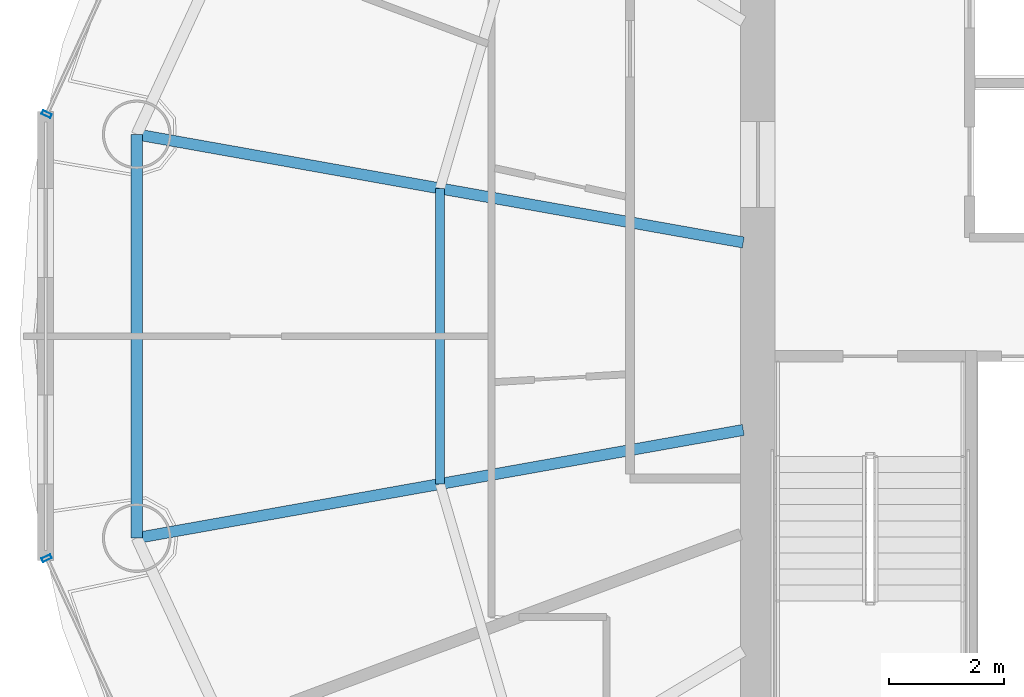
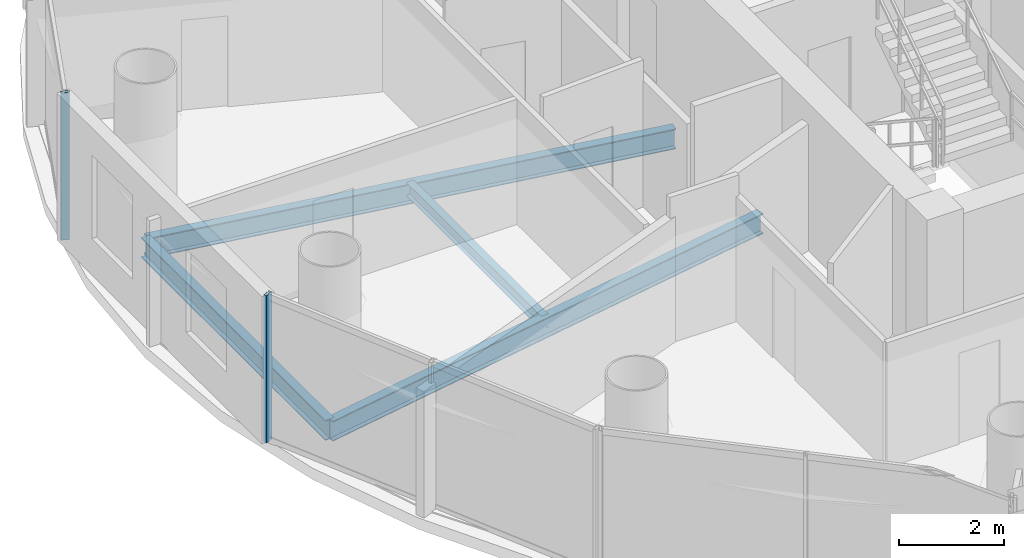
# One storey, part 7 of 26: 4 beams, 2 members, 2 elements without a shape of their own.
"""IFC4 building model written with IfcOpenShell, lengths in metres."""

from ifc_helpers import new_model, si_unit, direction, frame, origin, origin_2d, place, context, subcontext, project, spatial, hollow_rectangle, i_section, extrude, source, transform, mapped, material, material_profile, profile_set, type_object, element, aggregate, save


model = new_model("IFC4")

# Units and contexts
model_context = context("Model", 3, precision=1e-05, world=origin(), true_north=direction((-0.2419218956, 0.970295726276)))
body_context = subcontext(model_context, "Body", "Model", "MODEL_VIEW")
ifc_project = project(units=[si_unit("LENGTHUNIT", "METRE"), si_unit("AREAUNIT", "SQUARE_METRE"), si_unit("VOLUMEUNIT", "CUBIC_METRE"), si_unit("PLANEANGLEUNIT", "RADIAN"), si_unit("MASSUNIT", "GRAM", prefix="KILO")], contexts=[model_context])

# Site, building, storey
site_placement = place(None, origin())
site = spatial("IfcSite", under=ifc_project, at=site_placement, CompositionType="ELEMENT")
building_placement = place(site_placement, origin())
building = spatial("IfcBuilding", under=site, at=building_placement, Name="Cobrevalo Terracotta Tower", CompositionType="ELEMENT")
storey_placement = place(building_placement, frame((0.0, 0.0, 209.699951171875)))
storey = spatial("IfcBuildingStorey", under=building, at=storey_placement, Name="L55", CompositionType="ELEMENT", Elevation=209.699951171875)

# Beams
ifc_material_1 = material(Name="Steel S355", Category="steel")
ifc_material_profile_1 = material_profile(ifc_material_1, i_section(OverallWidth=0.194091796875, OverallDepth=0.468994140625, WebThickness=0.011474609375, FlangeThickness=0.0205078125, at=origin_2d()), Name="W 460x106")
ifc_profile_set_1 = profile_set([ifc_material_profile_1], Name="Steel S355")
beam_type_1 = type_object("IfcBeamType", Name="Structural Beam W 460x106 (Steel S355)", PredefinedType="BEAM", material=ifc_profile_set_1)
for number, where, z_axis, x_axis, name in (
    (1, (18.237060546875, 30.3212890625, -0.49951171875), (0.98449712063, -0.175400739656, 0.0), (0.175400739656, 0.98449712063, 0.0), "L55 radial floor girder 08"),
    (2, (18.237060546875, 23.278564453125, -0.49951171875), (0.984493198547, 0.175422752274, 0.0), (-0.175422752274, 0.984493198547, 0.0), "L55 radial floor girder 09"),
):
    element("IfcBeam", number, at=place(storey_placement, frame(where, z_axis=z_axis, x_axis=x_axis)), inside=storey, type_object=beam_type_1, Name=name, PredefinedType="BEAM", context=body_context, shape_type="SweptSolid", body=[
        extrude(i_section(OverallWidth=0.194091796875, OverallDepth=0.468994140625, WebThickness=0.011474609375, FlangeThickness=0.0205078125, at=origin_2d()), origin(), (0.0, 0.0, 1.0), 10.749755859375),
    ])
ifc_material_profile_2 = material_profile(ifc_material_1, i_section(OverallWidth=0.1650390625, OverallDepth=0.31005859375, WebThickness=0.005859375, FlangeThickness=0.009765625, at=origin_2d()), Name="W 310x38.7")
ifc_profile_set_2 = profile_set([ifc_material_profile_2], Name="Steel S355")
beam_type_2 = type_object("IfcBeamType", Name="Structural Joist W 310x38.7 (Steel S355)", PredefinedType="JOIST", material=ifc_profile_set_2)
beam_1_placement = place(storey_placement, frame((23.528564453125, 29.378662109375, -0.419921875), z_axis=(0.0, -1.0, 0.0), x_axis=(1.0, 0.0, 0.0)))
element("IfcBeam", 3, at=beam_1_placement, inside=storey, type_object=beam_type_2, Name="L55 circumferential secondary floor joist 08", PredefinedType="JOIST", context=body_context, shape_type="SweptSolid", body=[
    extrude(i_section(OverallWidth=0.1650390625, OverallDepth=0.31005859375, WebThickness=0.005859375, FlangeThickness=0.009765625, at=origin_2d()), origin(), (0.0, 0.0, 1.0), 5.1572265625),
])
ifc_material_profile_3 = material_profile(ifc_material_1, i_section(OverallWidth=0.194091796875, OverallDepth=0.468994140625, WebThickness=0.011474609375, FlangeThickness=0.0205078125, at=origin_2d()), Name="W 460x106")
ifc_profile_set_3 = profile_set([ifc_material_profile_3], Name="Steel S355")
beam_type_3 = type_object("IfcBeamType", Name="Structural Spandrel W 460x106 (Steel S355)", PredefinedType="SPANDREL", material=ifc_profile_set_3)
beam_2_placement = place(storey_placement, frame((18.237060546875, 30.3212890625, -0.49951171875), z_axis=(0.0, -1.0, 0.0), x_axis=(1.0, 0.0, 0.0)))
element("IfcBeam", 4, at=beam_2_placement, inside=storey, type_object=beam_type_3, Name="L55 perimeter ring spandrel 08", PredefinedType="SPANDREL", context=body_context, shape_type="SweptSolid", body=[
    extrude(i_section(OverallWidth=0.194091796875, OverallDepth=0.468994140625, WebThickness=0.011474609375, FlangeThickness=0.0205078125, at=origin_2d()), origin(), (0.0, 0.0, 1.0), 7.042724609375),
])

# Curtain wall, member
ifc_material_2 = material(Name="Anodized aluminium", Category="aluminium")
curtain_wall_type = type_object("IfcCurtainWallType", Name="Mid-tower high-wind unitised curtain wall CW-U2", PredefinedType="NOTDEFINED", material=ifc_material_2)
curtain_wall_1_placement = place(storey_placement, origin())
curtain_wall_1 = element("IfcCurtainWall", 5, at=curtain_wall_1_placement, inside=storey, type_object=curtain_wall_type, Name="L55 curtain wall CW-L55-S07", PredefinedType="NOTDEFINED")
ifc_material_profile_4 = material_profile(ifc_material_2, hollow_rectangle(XDim=0.070068359375, YDim=0.169921875, WallThickness=0.00439453125, at=origin_2d()), Name="CWM 70x170")
ifc_profile_set_4 = profile_set([ifc_material_profile_4], Name="Anodized aluminium")
member_type = type_object("IfcMemberType", Name="Upper tower unitised mullion 70x170", PredefinedType="MULLION", material=ifc_profile_set_4)
shared_shape = source(origin(), body_context, "Body", "SweptSolid", [
    extrude(hollow_rectangle(XDim=0.070068359375, YDim=0.169921875, WallThickness=0.00439453125, at=origin_2d()), origin(), (0.0, 0.0, 1.0), 3.43505859375),
])
member_1_placement = place(storey_placement, frame((16.6650390625, 30.673828125, 0.0), z_axis=(0.0, 0.0, 1.0), x_axis=(-0.41672507912, -0.909032567311, 0.0)))
member_1 = element("IfcMember", 6, at=member_1_placement, type_object=member_type, Name="CW-L55-S07 vertical mullion 03", PredefinedType="MULLION", context=body_context, shape_type="MappedRepresentation", body=[
    mapped(shared_shape, transform((0.0, 0.0, 0.0), scale=1.0)),
])
aggregate(curtain_wall_1, [member_1])

curtain_wall_2_placement = place(storey_placement, origin())
curtain_wall_2 = element("IfcCurtainWall", 7, at=curtain_wall_2_placement, inside=storey, type_object=curtain_wall_type, Name="L55 curtain wall CW-L55-S09", PredefinedType="NOTDEFINED")
member_2_placement = place(storey_placement, frame((16.6650390625, 22.92626953125, 0.0), z_axis=(0.0, 0.0, 1.0), x_axis=(0.41672507912, -0.909032567311, 0.0)))
member_2 = element("IfcMember", 8, at=member_2_placement, type_object=member_type, Name="CW-L55-S09 vertical mullion 01", PredefinedType="MULLION", context=body_context, shape_type="MappedRepresentation", body=[
    mapped(shared_shape, transform((0.0, 0.0, 0.0), scale=1.0)),
])
aggregate(curtain_wall_2, [member_2])

save(model, "model.ifc")
